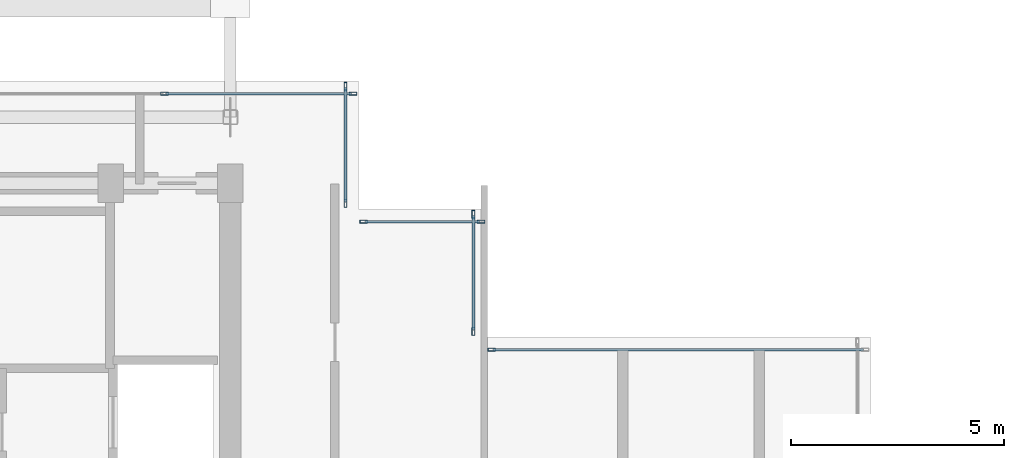
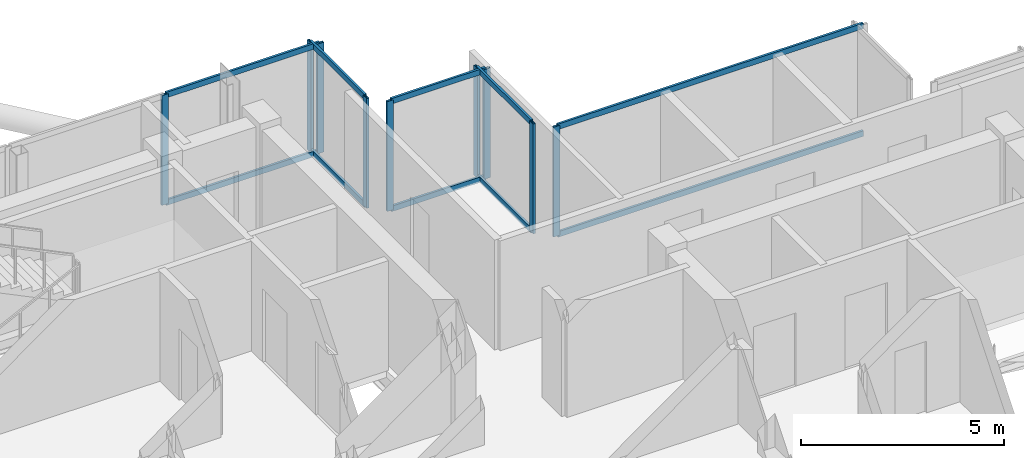
# One storey, part 11 of 19: 19 members, 5 elements without a shape of their own.
"""IFC4 building model written with IfcOpenShell, lengths in metres."""

import ifcopenshell
import ifcopenshell.guid

model = None  # the IFC model being written
_history = None  # IfcOwnerHistory: only IFC2X3 demands one
_inside = {}  # id of a spatial element -> (the spatial element, [elements in it])
_under = {}  # id of a project, library or spatial element -> (it, [spatial elements below it])
_declared = {}  # id of a project -> (the project, [libraries it declares])
_typed = {}  # id of a type object -> (the type object, [elements of that type])
_made_of = {}  # id of a material, layer set ... -> (it, [elements and type objects made of it])


def new_model(schema):
    """Start an empty IFC model of exactly this schema.

    Asked for "IFC4X3", IfcOpenShell would pick the latest addendum, in which some entities
    have other attributes; the version numbers below select the first issue.
    IFC2X3 requires an IfcOwnerHistory on every rooted entity: one is made here for all.
    """
    global model, _history
    if schema == "IFC4X3":
        model = ifcopenshell.file(schema_version=(4, 3, 0, 0))
    else:
        model = ifcopenshell.file(schema=schema)
    _inside.clear()
    _under.clear()
    _declared.clear()
    _typed.clear()
    _made_of.clear()
    _history = None
    if model.schema == "IFC2X3":
        org = make("IfcOrganization", Name="unknown")
        user = make(
            "IfcPersonAndOrganization",
            ThePerson=make("IfcPerson", FamilyName="unknown"),
            TheOrganization=org,
        )
        app = make(
            "IfcApplication",
            ApplicationDeveloper=org,
            Version="unknown",
            ApplicationFullName="unknown",
            ApplicationIdentifier="unknown",
        )
        _history = make(
            "IfcOwnerHistory",
            OwningUser=user,
            OwningApplication=app,
            ChangeAction="ADDED",
            CreationDate=0,
        )
    return model


def make(cls, **values):
    """One entity of the class cls with the attributes given. An attribute that is None is left unset."""
    return model.create_entity(
        cls, **{name: value for name, value in values.items() if value is not None}
    )


def rooted(cls, **values):
    """An entity with a GlobalId (a new one), such as an element, a storey or a relation."""
    return make(cls, GlobalId=ifcopenshell.guid.new(), OwnerHistory=_history, **values)


def si_unit(unit_type, name, prefix=None):
    """IfcSIUnit, for example si_unit("LENGTHUNIT", "METRE", prefix="MILLI")."""
    return make("IfcSIUnit", UnitType=unit_type, Prefix=prefix, Name=name)


def assignment(units):
    """IfcUnitAssignment: the units of a project."""
    return None if units is None else make("IfcUnitAssignment", Units=units)


def point(xyz):
    """IfcCartesianPoint."""
    return None if xyz is None else make("IfcCartesianPoint", Coordinates=xyz)


def direction(xyz):
    """IfcDirection."""
    return None if xyz is None else make("IfcDirection", DirectionRatios=xyz)


def frame(location, z_axis=None, x_axis=None):
    """IfcAxis2Placement3D, a coordinate frame: its origin and axes. An axis left out is left unset."""
    return make(
        "IfcAxis2Placement3D",
        Location=point(location),
        Axis=direction(z_axis),
        RefDirection=direction(x_axis),
    )


def frame_2d(location, x_axis=None):
    """IfcAxis2Placement2D, a coordinate frame in the plane: its origin and x axis."""
    return make(
        "IfcAxis2Placement2D", Location=point(location), RefDirection=direction(x_axis)
    )


def origin():
    """The frame at (0, 0, 0) with its axes left unset."""
    return frame((0.0, 0.0, 0.0))


def origin_2d():
    """The frame at (0, 0) in the plane with its x axis left unset."""
    return frame_2d((0.0, 0.0))


def place(relative_to, where):
    """IfcLocalPlacement: puts the frame where relative to a parent placement (None: the world)."""
    return make(
        "IfcLocalPlacement", PlacementRelTo=relative_to, RelativePlacement=where
    )


def context(
    kind, dimensions, precision=None, world=None, true_north=None, identifier=None
):
    """IfcGeometricRepresentationContext, for example the 3D "Model" context."""
    return make(
        "IfcGeometricRepresentationContext",
        ContextIdentifier=identifier,
        ContextType=kind,
        CoordinateSpaceDimension=dimensions,
        Precision=precision,
        WorldCoordinateSystem=world,
        TrueNorth=true_north,
    )


def subcontext(parent, identifier, kind, view, scale=None):
    """IfcGeometricRepresentationSubContext, for example "Body" below "Model"."""
    return make(
        "IfcGeometricRepresentationSubContext",
        ContextIdentifier=identifier,
        ContextType=kind,
        ParentContext=parent,
        TargetScale=scale,
        TargetView=view,
    )


def project(units=None, contexts=None):
    """IfcProject with its units and contexts."""
    return rooted(
        "IfcProject",
        Name="project",
        RepresentationContexts=contexts,
        UnitsInContext=assignment(units),
    )


def spatial(cls, under=None, at=None, **own):
    """A site, building, storey or space (cls), placed at a placement, below another one or the project."""
    s = rooted(cls, ObjectPlacement=at, **own)
    if under is not None:
        _under.setdefault(under.id(), (under, []))[1].append(s)
    return s


def profile(cls, at=None, kind="AREA", **sizes):
    """A parametric profile (cls). Its sizes go by their IFC names, for example OverallWidth=200.0."""
    return make(cls, ProfileType=kind, Position=at, **sizes)


def hollow_rectangle(**sizes):
    """IfcRectangleHollowProfileDef."""
    return profile("IfcRectangleHollowProfileDef", **sizes)


def extrude(swept, where, along, depth):
    """IfcExtrudedAreaSolid: the profile swept, set in the frame where, extruded along a direction by depth."""
    return make(
        "IfcExtrudedAreaSolid",
        SweptArea=swept,
        Position=where,
        ExtrudedDirection=direction(along),
        Depth=depth,
    )


def shape(context_of_items, identifier, shape_type, items):
    """IfcShapeRepresentation: the items that make up one representation, for example the "Body"."""
    return make(
        "IfcShapeRepresentation",
        ContextOfItems=context_of_items,
        RepresentationIdentifier=identifier,
        RepresentationType=shape_type,
        Items=items,
    )


def material(Name=None, Category=None):
    """IfcMaterial."""
    return make("IfcMaterial", Name=Name, Category=Category)


def layer(
    of_material, thickness, ventilated=None, Name=None, Category=None, Priority=None
):
    """IfcMaterialLayer: one layer of a wall or slab, of a material (None: an air gap)."""
    return make(
        "IfcMaterialLayer",
        Material=of_material,
        LayerThickness=thickness,
        IsVentilated=ventilated,
        Name=Name,
        Category=Category,
        Priority=Priority,
    )


def layer_set(layers, Name=None):
    """IfcMaterialLayerSet."""
    return make("IfcMaterialLayerSet", MaterialLayers=layers, LayerSetName=Name)


def material_profile(
    of_material, cross_section, Name=None, Category=None, Priority=None
):
    """IfcMaterialProfile: a cross section and its material."""
    return make(
        "IfcMaterialProfile",
        Name=Name,
        Material=of_material,
        Profile=cross_section,
        Priority=Priority,
        Category=Category,
    )


def profile_set(profiles, Name=None, composite=None):
    """IfcMaterialProfileSet."""
    return make(
        "IfcMaterialProfileSet",
        Name=Name,
        MaterialProfiles=profiles,
        CompositeProfile=composite,
    )


def made_of(thing, what):
    """Note that an element or type object is made of a material, layer set ...; save() writes the relation."""
    if what is not None:
        _made_of.setdefault(what.id(), (what, []))[1].append(thing)
    return thing


def type_object(cls, material=None, **own):
    """A type object (cls), such as IfcWallType, which elements share."""
    return made_of(rooted(cls, **own), material)


def element(
    cls,
    number,
    at=None,
    inside=None,
    cuts=None,
    type_object=None,
    material=None,
    context=None,
    identifier="Body",
    shape_type=None,
    held_by="IfcProductDefinitionShape",
    body=None,
    shapes=None,
    **own,
):
    """One element of the class cls, such as IfcWall. Its Tag is "e" and its number.

    at: its placement. inside: the storey or other place that contains it. cuts: it is an
    opening in that element (IfcRelVoidsElement). A single representation is given by context,
    identifier, shape_type and body (its items); several are given by shapes. held_by: the class
    of the entity that holds the representations. save() writes the other relations.
    """
    e = rooted(cls, Tag="e%d" % number, ObjectPlacement=at, **own)
    if body is not None:
        shapes = [shape(context, identifier, shape_type, body)]
    if shapes is not None:
        e.Representation = make(held_by, Representations=shapes)
    if inside is not None:
        _inside.setdefault(inside.id(), (inside, []))[1].append(e)
    if cuts is not None:
        rooted(
            "IfcRelVoidsElement", RelatingBuildingElement=cuts, RelatedOpeningElement=e
        )
    if type_object is not None:
        _typed.setdefault(type_object.id(), (type_object, []))[1].append(e)
    return made_of(e, material)


def aggregate(whole, parts):
    """IfcRelAggregates: a whole, such as a stair, and the parts it consists of."""
    return rooted("IfcRelAggregates", RelatingObject=whole, RelatedObjects=parts)


def save(model, path):
    """Write the relations noted so far, then the file.

    IfcRelAggregates (storeys below a building ...), IfcRelContainedInSpatialStructure (elements
    in a storey), IfcRelDefinesByType, IfcRelAssociatesMaterial and IfcRelDeclares: one each for
    every whole, place, type object, material and project.
    """
    for whole, parts in _under.values():
        aggregate(whole, parts)
    for where, things in _inside.values():
        rooted(
            "IfcRelContainedInSpatialStructure",
            RelatedElements=things,
            RelatingStructure=where,
        )
    for kind, things in _typed.values():
        rooted("IfcRelDefinesByType", RelatedObjects=things, RelatingType=kind)
    for what, things in _made_of.values():
        rooted("IfcRelAssociatesMaterial", RelatedObjects=things, RelatingMaterial=what)
    for by, libraries in _declared.values():
        rooted("IfcRelDeclares", RelatingContext=by, RelatedDefinitions=libraries)
    model.write(path)


model = new_model("IFC4")

# Units and contexts
model_context = context("Model", 3, precision=1e-05, world=origin(), true_north=direction((0.0, 1.0)))
body_context = subcontext(model_context, "Body", "Model", "MODEL_VIEW")
ifc_project = project(units=[si_unit("LENGTHUNIT", "METRE"), si_unit("AREAUNIT", "SQUARE_METRE"), si_unit("VOLUMEUNIT", "CUBIC_METRE"), si_unit("PLANEANGLEUNIT", "RADIAN"), si_unit("MASSUNIT", "GRAM", prefix="KILO"), si_unit("THERMODYNAMICTEMPERATUREUNIT", "KELVIN"), si_unit("POWERUNIT", "WATT")], contexts=[model_context])

# Site, building, storey
site_placement = place(None, origin())
site = spatial("IfcSite", under=ifc_project, at=site_placement, CompositionType="ELEMENT")
building_placement = place(site_placement, origin())
building = spatial("IfcBuilding", under=site, at=building_placement, Name="Svarakhadi Broadcast Tower", CompositionType="ELEMENT")
storey_placement = place(building_placement, frame((0.0, 0.0, 243.199951171875)))
storey = spatial("IfcBuildingStorey", under=building, at=storey_placement, Name="L60", CompositionType="ELEMENT", Elevation=243.199951171875)

# Curtain wall, members
ifc_material = material(Name="Anodised Bronze Aluminium AA 6063-T6", Category="aluminium")
ifc_layer = layer(ifc_material, 0.179931640625)
ifc_layer_set = layer_set([ifc_layer], Name="Anodised Bronze Aluminium AA 6063-T6")
curtain_wall_type = type_object("IfcCurtainWallType", Name="CW_Sys_05", PredefinedType="NOTDEFINED", material=ifc_layer_set)
curtain_wall_1_placement = place(storey_placement, origin())
curtain_wall_1 = element("IfcCurtainWall", 1, at=curtain_wall_1_placement, inside=storey, type_object=curtain_wall_type, Name="L60 Unitised Facade Curtain Wall 05", PredefinedType="NOTDEFINED")
ifc_material_profile_1 = material_profile(ifc_material, hollow_rectangle(XDim=0.070068359375, YDim=0.179931640625, WallThickness=0.005615234375, at=origin_2d()), Name="ALU MULLION 180x70x6")
ifc_profile_set_1 = profile_set([ifc_material_profile_1], Name="Anodised Bronze Aluminium AA 6063-T6")
member_type_1 = type_object("IfcMemberType", Name="CW_Sys_05_Mul", PredefinedType="MULLION", material=ifc_profile_set_1)
member_1_placement = place(storey_placement, frame((16.455078125, 29.699951171875, 0.0), z_axis=(0.0, 0.0, 1.0), x_axis=(0.0, 1.0, 0.0)))
member_1 = element("IfcMember", 2, at=member_1_placement, type_object=member_type_1, Name="CW-05 mullion 4", PredefinedType="MULLION", context=body_context, shape_type="SweptSolid", body=[
    extrude(hollow_rectangle(XDim=0.070068359375, YDim=0.179931640625, WallThickness=0.005615234375, at=origin_2d()), origin(), (0.0, 0.0, 1.0), 3.300048828125),
])
member_2_placement = place(storey_placement, frame((20.875, 29.699951171875, 0.0), z_axis=(0.0, 0.0, 1.0), x_axis=(0.0, 1.0, 0.0)))
member_2 = element("IfcMember", 3, at=member_2_placement, type_object=member_type_1, Name="CW-05 mullion 5", PredefinedType="MULLION", context=body_context, shape_type="SweptSolid", body=[
    extrude(hollow_rectangle(XDim=0.070068359375, YDim=0.179931640625, WallThickness=0.005615234375, at=origin_2d()), origin(), (0.0, 0.0, 1.0), 3.300048828125),
])

curtain_wall_2_placement = place(storey_placement, origin())
curtain_wall_2 = element("IfcCurtainWall", 4, at=curtain_wall_2_placement, inside=storey, type_object=curtain_wall_type, Name="L60 Unitised Facade Curtain Wall 06", PredefinedType="NOTDEFINED")
member_3_placement = place(storey_placement, frame((20.699951171875, 29.875, 0.0), z_axis=(0.0, 0.0, 1.0), x_axis=(1.0, 0.0, 0.0)))
member_3 = element("IfcMember", 5, at=member_3_placement, type_object=member_type_1, Name="CW-05 mullion 1", PredefinedType="MULLION", context=body_context, shape_type="SweptSolid", body=[
    extrude(hollow_rectangle(XDim=0.070068359375, YDim=0.179931640625, WallThickness=0.005615234375, at=origin_2d()), origin(), (0.0, 0.0, 1.0), 3.300048828125),
])
member_4_placement = place(storey_placement, frame((20.699951171875, 27.125, 0.0), z_axis=(0.0, 0.0, 1.0), x_axis=(1.0, 0.0, 0.0)))
member_4 = element("IfcMember", 6, at=member_4_placement, type_object=member_type_1, Name="CW-05 mullion 2", PredefinedType="MULLION", context=body_context, shape_type="SweptSolid", body=[
    extrude(hollow_rectangle(XDim=0.070068359375, YDim=0.179931640625, WallThickness=0.005615234375, at=origin_2d()), origin(), (0.0, 0.0, 1.0), 3.300048828125),
])

curtain_wall_3_placement = place(storey_placement, origin())
curtain_wall_3 = element("IfcCurtainWall", 7, at=curtain_wall_3_placement, inside=storey, type_object=curtain_wall_type, Name="L60 Unitised Facade Curtain Wall 07", PredefinedType="NOTDEFINED")
member_5_placement = place(storey_placement, frame((21.125, 26.699951171875, 0.0), z_axis=(0.0, 0.0, 1.0), x_axis=(0.0, 1.0, 0.0)))
member_5 = element("IfcMember", 8, at=member_5_placement, type_object=member_type_1, Name="CW-05 mullion 1", PredefinedType="MULLION", context=body_context, shape_type="SweptSolid", body=[
    extrude(hollow_rectangle(XDim=0.070068359375, YDim=0.179931640625, WallThickness=0.005615234375, at=origin_2d()), origin(), (0.0, 0.0, 1.0), 3.300048828125),
])
member_6_placement = place(storey_placement, frame((23.875, 26.699951171875, 0.0), z_axis=(0.0, 0.0, 1.0), x_axis=(0.0, 1.0, 0.0)))
member_6 = element("IfcMember", 9, at=member_6_placement, type_object=member_type_1, Name="CW-05 mullion 2", PredefinedType="MULLION", context=body_context, shape_type="SweptSolid", body=[
    extrude(hollow_rectangle(XDim=0.070068359375, YDim=0.179931640625, WallThickness=0.005615234375, at=origin_2d()), origin(), (0.0, 0.0, 1.0), 3.300048828125),
])

curtain_wall_4_placement = place(storey_placement, origin())
curtain_wall_4 = element("IfcCurtainWall", 10, at=curtain_wall_4_placement, inside=storey, type_object=curtain_wall_type, Name="L60 Unitised Facade Curtain Wall 08", PredefinedType="NOTDEFINED")
member_7_placement = place(storey_placement, frame((23.699951171875, 26.875, 0.0), z_axis=(0.0, 0.0, 1.0), x_axis=(1.0, 0.0, 0.0)))
member_7 = element("IfcMember", 11, at=member_7_placement, type_object=member_type_1, Name="CW-05 mullion 1", PredefinedType="MULLION", context=body_context, shape_type="SweptSolid", body=[
    extrude(hollow_rectangle(XDim=0.070068359375, YDim=0.179931640625, WallThickness=0.005615234375, at=origin_2d()), origin(), (0.0, 0.0, 1.0), 3.300048828125),
])
member_8_placement = place(storey_placement, frame((23.699951171875, 24.125, 0.0), z_axis=(0.0, 0.0, 1.0), x_axis=(1.0, 0.0, 0.0)))
member_8 = element("IfcMember", 12, at=member_8_placement, type_object=member_type_1, Name="CW-05 mullion 2", PredefinedType="MULLION", context=body_context, shape_type="SweptSolid", body=[
    extrude(hollow_rectangle(XDim=0.070068359375, YDim=0.179931640625, WallThickness=0.005615234375, at=origin_2d()), origin(), (0.0, 0.0, 1.0), 3.300048828125),
])

# Curtain wall, member
curtain_wall_5_placement = place(storey_placement, origin())
curtain_wall_5 = element("IfcCurtainWall", 13, at=curtain_wall_5_placement, inside=storey, type_object=curtain_wall_type, Name="L60 Unitised Facade Curtain Wall 09", PredefinedType="NOTDEFINED")
member_9_placement = place(storey_placement, frame((24.125, 23.699951171875, 0.0), z_axis=(0.0, 0.0, 1.0), x_axis=(0.0, 1.0, 0.0)))
member_9 = element("IfcMember", 14, at=member_9_placement, type_object=member_type_1, Name="CW-05 mullion 1", PredefinedType="MULLION", context=body_context, shape_type="SweptSolid", body=[
    extrude(hollow_rectangle(XDim=0.070068359375, YDim=0.179931640625, WallThickness=0.005615234375, at=origin_2d()), origin(), (0.0, 0.0, 1.0), 3.300048828125),
])

# Member
ifc_material_profile_2 = material_profile(ifc_material, hollow_rectangle(XDim=0.06494140625, YDim=0.1650390625, WallThickness=0.0048828125, at=origin_2d()), Name="ALU TRANSOM 165x65x5")
ifc_profile_set_2 = profile_set([ifc_material_profile_2], Name="Anodised Bronze Aluminium AA 6063-T6")
member_type_2 = type_object("IfcMemberType", Name="CW_Sys_05_Trn", PredefinedType="USERDEFINED", material=ifc_profile_set_2)
member_10_placement = place(storey_placement, frame((16.489990234375, 29.699951171875, 0.032470703125), z_axis=(1.0, 0.0, 0.0), x_axis=(0.0, 1.0, 0.0)))
member_10 = element("IfcMember", 15, at=member_10_placement, type_object=member_type_2, Name="CW-05 transom 4.1", ObjectType="TRANSOM", PredefinedType="USERDEFINED", context=body_context, shape_type="SweptSolid", body=[
    extrude(hollow_rectangle(XDim=0.06494140625, YDim=0.1650390625, WallThickness=0.0048828125, at=origin_2d()), origin(), (0.0, 0.0, 1.0), 4.35009765625),
])

member_11_placement = place(storey_placement, frame((16.489990234375, 29.699951171875, 3.267578125), z_axis=(1.0, 0.0, 0.0), x_axis=(0.0, 1.0, 0.0)))
member_11 = element("IfcMember", 16, at=member_11_placement, type_object=member_type_2, Name="CW-05 transom 4.2", ObjectType="TRANSOM", PredefinedType="USERDEFINED", context=body_context, shape_type="SweptSolid", body=[
    extrude(hollow_rectangle(XDim=0.06494140625, YDim=0.1650390625, WallThickness=0.0048828125, at=origin_2d()), origin(), (0.0, 0.0, 1.0), 4.35009765625),
])

aggregate(curtain_wall_1, [member_1, member_2, member_10, member_11])

member_12_placement = place(storey_placement, frame((20.699951171875, 29.840087890625, 0.032470703125), z_axis=(0.0, -1.0, 0.0), x_axis=(1.0, 0.0, 0.0)))
member_12 = element("IfcMember", 17, at=member_12_placement, type_object=member_type_2, Name="CW-05 transom 1.1", ObjectType="TRANSOM", PredefinedType="USERDEFINED", context=body_context, shape_type="SweptSolid", body=[
    extrude(hollow_rectangle(XDim=0.06494140625, YDim=0.1650390625, WallThickness=0.0048828125, at=origin_2d()), origin(), (0.0, 0.0, 1.0), 2.68017578125),
])

member_13_placement = place(storey_placement, frame((20.699951171875, 29.840087890625, 3.267578125), z_axis=(0.0, -1.0, 0.0), x_axis=(1.0, 0.0, 0.0)))
member_13 = element("IfcMember", 18, at=member_13_placement, type_object=member_type_2, Name="CW-05 transom 1.2", ObjectType="TRANSOM", PredefinedType="USERDEFINED", context=body_context, shape_type="SweptSolid", body=[
    extrude(hollow_rectangle(XDim=0.06494140625, YDim=0.1650390625, WallThickness=0.0048828125, at=origin_2d()), origin(), (0.0, 0.0, 1.0), 2.68017578125),
])

aggregate(curtain_wall_2, [member_3, member_4, member_12, member_13])

member_14_placement = place(storey_placement, frame((21.159912109375, 26.699951171875, 0.032470703125), z_axis=(1.0, 0.0, 0.0), x_axis=(0.0, 1.0, 0.0)))
member_14 = element("IfcMember", 19, at=member_14_placement, type_object=member_type_2, Name="CW-05 transom 1.1", ObjectType="TRANSOM", PredefinedType="USERDEFINED", context=body_context, shape_type="SweptSolid", body=[
    extrude(hollow_rectangle(XDim=0.06494140625, YDim=0.1650390625, WallThickness=0.0048828125, at=origin_2d()), origin(), (0.0, 0.0, 1.0), 2.68017578125),
])

member_15_placement = place(storey_placement, frame((21.159912109375, 26.699951171875, 3.267578125), z_axis=(1.0, 0.0, 0.0), x_axis=(0.0, 1.0, 0.0)))
member_15 = element("IfcMember", 20, at=member_15_placement, type_object=member_type_2, Name="CW-05 transom 1.2", ObjectType="TRANSOM", PredefinedType="USERDEFINED", context=body_context, shape_type="SweptSolid", body=[
    extrude(hollow_rectangle(XDim=0.06494140625, YDim=0.1650390625, WallThickness=0.0048828125, at=origin_2d()), origin(), (0.0, 0.0, 1.0), 2.68017578125),
])

aggregate(curtain_wall_3, [member_5, member_6, member_14, member_15])

member_16_placement = place(storey_placement, frame((23.699951171875, 26.840087890625, 0.032470703125), z_axis=(0.0, -1.0, 0.0), x_axis=(1.0, 0.0, 0.0)))
member_16 = element("IfcMember", 21, at=member_16_placement, type_object=member_type_2, Name="CW-05 transom 1.1", ObjectType="TRANSOM", PredefinedType="USERDEFINED", context=body_context, shape_type="SweptSolid", body=[
    extrude(hollow_rectangle(XDim=0.06494140625, YDim=0.1650390625, WallThickness=0.0048828125, at=origin_2d()), origin(), (0.0, 0.0, 1.0), 2.68017578125),
])

member_17_placement = place(storey_placement, frame((23.699951171875, 26.840087890625, 3.267578125), z_axis=(0.0, -1.0, 0.0), x_axis=(1.0, 0.0, 0.0)))
member_17 = element("IfcMember", 22, at=member_17_placement, type_object=member_type_2, Name="CW-05 transom 1.2", ObjectType="TRANSOM", PredefinedType="USERDEFINED", context=body_context, shape_type="SweptSolid", body=[
    extrude(hollow_rectangle(XDim=0.06494140625, YDim=0.1650390625, WallThickness=0.0048828125, at=origin_2d()), origin(), (0.0, 0.0, 1.0), 2.68017578125),
])

aggregate(curtain_wall_4, [member_7, member_8, member_16, member_17])

member_18_placement = place(storey_placement, frame((24.159912109375, 23.699951171875, 0.032470703125), z_axis=(1.0, 0.0, 0.0), x_axis=(0.0, 1.0, 0.0)))
member_18 = element("IfcMember", 23, at=member_18_placement, type_object=member_type_2, Name="CW-05 transom 1.1", ObjectType="TRANSOM", PredefinedType="USERDEFINED", context=body_context, shape_type="SweptSolid", body=[
    extrude(hollow_rectangle(XDim=0.06494140625, YDim=0.1650390625, WallThickness=0.0048828125, at=origin_2d()), origin(), (0.0, 0.0, 1.0), 8.68017578125),
])

member_19_placement = place(storey_placement, frame((24.159912109375, 23.699951171875, 3.267578125), z_axis=(1.0, 0.0, 0.0), x_axis=(0.0, 1.0, 0.0)))
member_19 = element("IfcMember", 24, at=member_19_placement, type_object=member_type_2, Name="CW-05 transom 1.2", ObjectType="TRANSOM", PredefinedType="USERDEFINED", context=body_context, shape_type="SweptSolid", body=[
    extrude(hollow_rectangle(XDim=0.06494140625, YDim=0.1650390625, WallThickness=0.0048828125, at=origin_2d()), origin(), (0.0, 0.0, 1.0), 8.68017578125),
])

aggregate(curtain_wall_5, [member_9, member_18, member_19])

save(model, "model.ifc")
